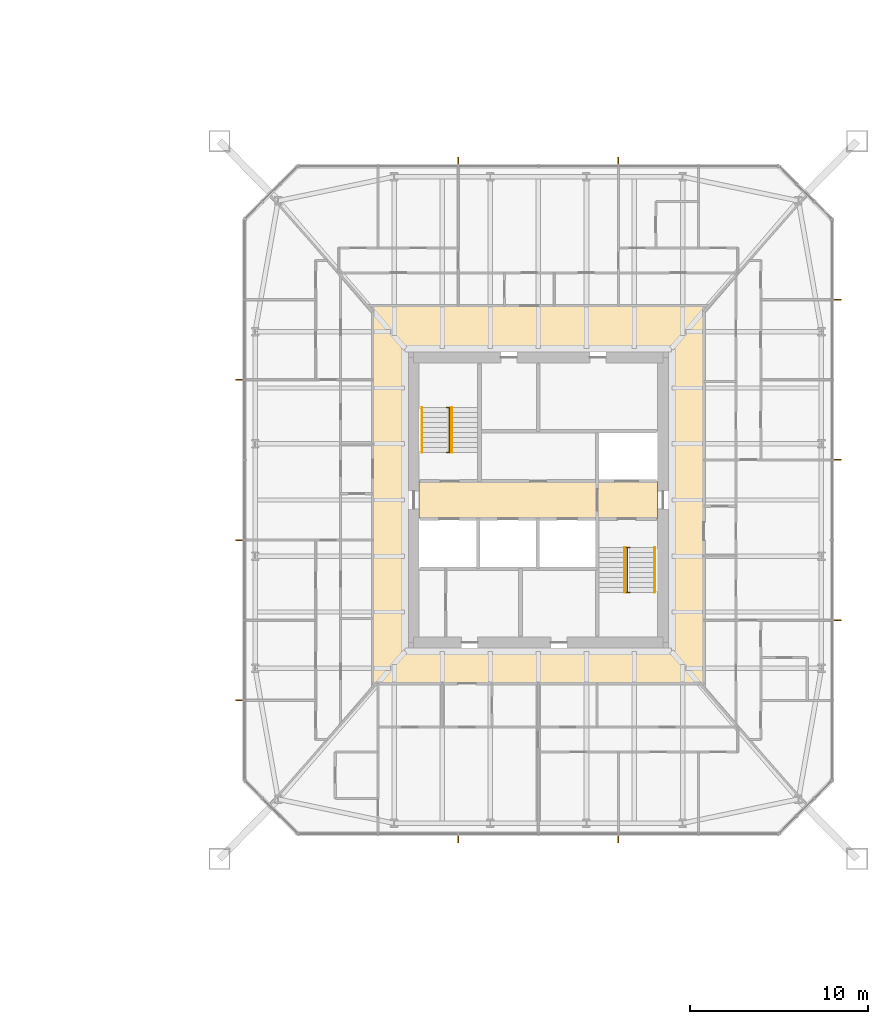
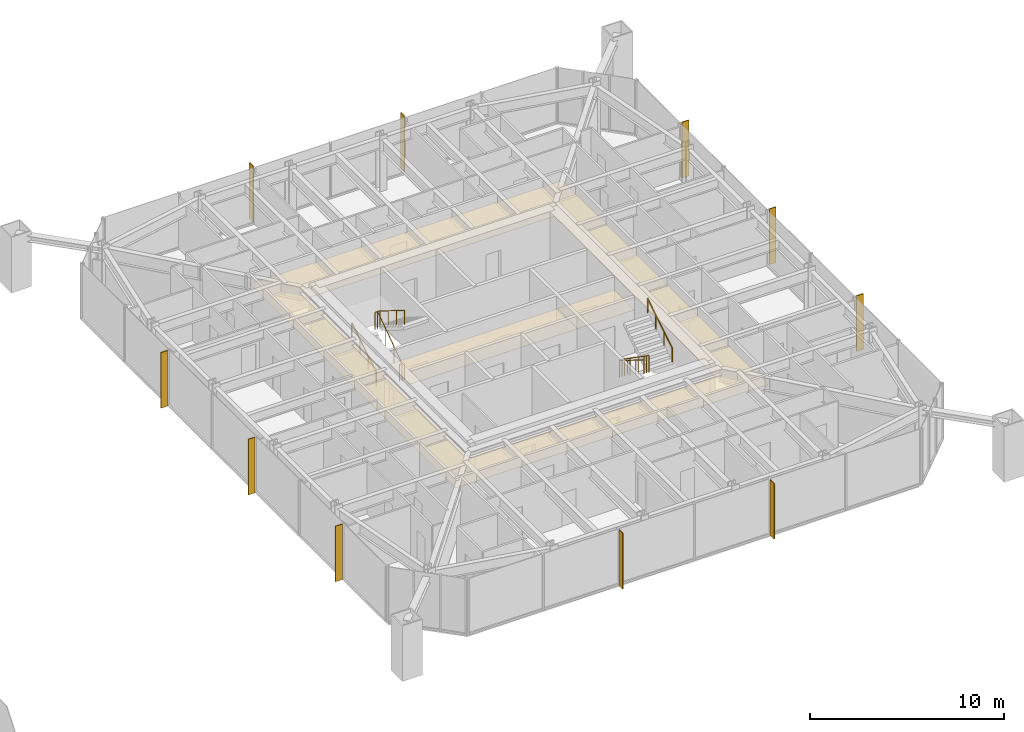
# One storey, part 26 of 26: 10 shading devices, 6 railings, 3 coverings.
"""IFC4 building model written with IfcOpenShell, lengths in metres."""

from ifc_helpers import new_model, si_unit, direction, frame, origin, origin_2d, place, context, subcontext, project, spatial, polyline, rectangle, circle, outline, extrude, material, layer, layer_set, constituent, constituent_set, type_object, element, save


model = new_model("IFC4")

# Units and contexts
model_context = context("Model", 3, precision=1e-05, world=origin(), true_north=direction((0.0, 1.0)))
body_context = subcontext(model_context, "Body", "Model", "MODEL_VIEW")
ifc_project = project(units=[si_unit("LENGTHUNIT", "METRE"), si_unit("AREAUNIT", "SQUARE_METRE"), si_unit("VOLUMEUNIT", "CUBIC_METRE"), si_unit("PLANEANGLEUNIT", "RADIAN"), si_unit("MASSUNIT", "GRAM", prefix="KILO")], contexts=[model_context])

# Site, building, storey
site_placement = place(None, origin())
site = spatial("IfcSite", under=ifc_project, at=site_placement, CompositionType="ELEMENT")
building_placement = place(site_placement, origin())
building = spatial("IfcBuilding", under=site, at=building_placement, Name="Iwan Alto Co-Living Towers", CompositionType="ELEMENT")
storey_placement = place(building_placement, frame((0.0, 0.0, 39.5)))
storey = spatial("IfcBuildingStorey", under=building, at=storey_placement, Name="L10", CompositionType="ELEMENT", Elevation=39.5)

# Coverings
ifc_material_1 = material(Name="Mineral fibre acoustic tiles on steel grid", Category="steel")
ifc_layer_1 = layer(ifc_material_1, 0.02001953125)
ifc_layer_set_1 = layer_set([ifc_layer_1], Name="ACOUSTIC TILE CEILING 20")
covering_type_1 = type_object("IfcCoveringType", Name="ACOUSTIC TILE CEILING 20", PredefinedType="CEILING", material=ifc_layer_set_1)
covering_1_placement = place(storey_placement, frame((0.0, 0.0, 2.60009765625)))
element("IfcCovering", 1, at=covering_1_placement, inside=storey, type_object=covering_type_1, Name="Ceiling Lift lobby L10", PredefinedType="CEILING", context=body_context, shape_type="SweptSolid", body=[
    extrude(outline(polyline([(56.300048828125, -1.050048828125), (56.300048828125, 1.050048828125), (66.300048828125, 1.050048828125), (66.300048828125, -1.050048828125), (56.300048828125, -1.050048828125)])), origin(), (0.0, 0.0, 1.0), 0.02001953125),
])
covering_2_placement = place(storey_placement, frame((0.0, 0.0, 2.60009765625)))
element("IfcCovering", 2, at=covering_2_placement, inside=storey, type_object=covering_type_1, Name="Ceiling Firefighting lobby L10", PredefinedType="CEILING", context=body_context, shape_type="SweptSolid", body=[
    extrude(outline(polyline([(66.300048828125, -1.050048828125), (66.300048828125, 1.050048828125), (69.699951171875, 1.050048828125), (69.699951171875, -1.050048828125), (66.300048828125, -1.050048828125)])), origin(), (0.0, 0.0, 1.0), 0.02001953125),
])

# Shading devices
ifc_material_2 = material(Name="Aluminium 6063-T6 bronze anodised", Category="aluminium")
ifc_layer_2 = layer(ifc_material_2, 0.050048828125)
ifc_layer_set_2 = layer_set([ifc_layer_2], Name="BRONZE FIN 50X400")
shading_device_type = type_object("IfcShadingDeviceType", Name="BRONZE FIN 50X400", PredefinedType="USERDEFINED", material=ifc_layer_set_2)
for number, where, z_axis, x_axis, name in (
    (3, (58.5, -19.050048828125, 0.0), (0.0, 0.0, 1.0), (1.0, 0.0, 0.0), "Bronze fin L10"),
    (4, (67.5, -19.050048828125, 0.0), (0.0, 0.0, 1.0), (1.0, 0.0, 0.0), "Bronze fin L10"),
    (5, (79.800048828125, -6.75, 0.0), (0.0, 0.0, 1.0), (0.0, 1.0, 0.0), "Bronze fin L10"),
    (6, (79.800048828125, 2.25, 0.0), (0.0, 0.0, 1.0), (0.0, 1.0, 0.0), "Bronze fin L10"),
    (7, (79.800048828125, 11.25, 0.0), (0.0, 0.0, 1.0), (0.0, 1.0, 0.0), "Bronze fin L10"),
    (8, (67.5, 19.050048828125, 0.0), (0.0, 0.0, 1.0), (-1.0, 0.0, 0.0), "Bronze fin L10"),
    (9, (58.5, 19.050048828125, 0.0), (0.0, 0.0, 1.0), (-1.0, 0.0, 0.0), "Bronze fin L10"),
    (10, (46.199951171875, 6.75, 0.0), (0.0, 0.0, 1.0), (0.0, -1.0, 0.0), "Bronze fin L10"),
    (11, (46.199951171875, -2.25, 0.0), (0.0, 0.0, 1.0), (0.0, -1.0, 0.0), "Bronze fin L10"),
    (12, (46.199951171875, -11.25, 0.0), (0.0, 0.0, 1.0), (0.0, -1.0, 0.0), "Bronze fin L10"),
):
    element("IfcShadingDevice", number, at=place(storey_placement, frame(where, z_axis=z_axis, x_axis=x_axis)), inside=storey, type_object=shading_device_type, Name=name, ObjectType="LOUVER", PredefinedType="USERDEFINED", context=body_context, shape_type="SweptSolid", body=[
        extrude(rectangle(XDim=0.050048828125, YDim=0.39990234375, at=origin_2d()), origin(), (0.0, 0.0, 1.0), 3.5),
    ])

# Railings
ifc_material_3 = material(Name="Steel ASTM A500 Gr C", Category="steel")
ifc_constituent_1 = constituent(ifc_material_3, Name="Rails and posts", Category="Framing")
ifc_material_4 = material(Name="Steel ASTM A36", Category="steel")
ifc_constituent_2 = constituent(ifc_material_4, Name="Bar infill", Category="Infill")
ifc_constituent_set = constituent_set(constituents=[ifc_constituent_1, ifc_constituent_2], Name="STAIR GUARD 1100")
railing_type_1 = type_object("IfcRailingType", Name="STAIR GUARD 1100", PredefinedType="GUARDRAIL", material=ifc_constituent_set)
railing_1_placement = place(storey_placement, frame((58.0, 2.669921875, 0.0)))
element("IfcRailing", 13, at=railing_1_placement, inside=storey, type_object=railing_type_1, Name="Stair T2-S1 well guard L10", PredefinedType="GUARDRAIL", context=body_context, shape_type="SweptSolid", body=[
    extrude(circle(Radius=0.02392578125, at=origin_2d()), frame((0.0, 0.0, 1.076171875), z_axis=(0.0, 0.821372036852, 0.570392826987), x_axis=(-1.0, 0.0, 0.0)), (0.0, 0.0, 1.0), 3.068115234375),
    extrude(circle(Radius=0.02392578125, at=origin_2d()), frame((-0.14990234375, 0.0, 1.076171875), z_axis=(1.0, 0.0, 0.0), x_axis=(0.0, 1.0, 0.0)), (0.0, 0.0, 1.0), 0.2998046875),
    extrude(circle(Radius=0.02392578125, at=origin_2d()), frame((-0.14990234375, 2.52001953125, 2.826171875), z_axis=(1.0, 0.0, 0.0), x_axis=(0.0, 1.0, 0.0)), (0.0, 0.0, 1.0), 0.2998046875),
    extrude(circle(Radius=0.02099609375, at=origin_2d()), origin(), (0.0, 0.0, 1.0), 1.052001953125),
    extrude(circle(Radius=0.02099609375, at=origin_2d()), frame((0.0, 0.840087890625, 0.583251953125)), (0.0, 0.0, 1.0), 1.052001953125),
    extrude(circle(Radius=0.02099609375, at=origin_2d()), frame((0.0, 1.679931640625, 1.166748046875)), (0.0, 0.0, 1.0), 1.052001953125),
    extrude(circle(Radius=0.02099609375, at=origin_2d()), frame((0.0, 2.52001953125, 1.75)), (0.0, 0.0, 1.0), 1.052001953125),
    extrude(circle(Radius=0.02099609375, at=origin_2d()), frame((-0.14990234375, 0.0, 0.0)), (0.0, 0.0, 1.0), 1.052001953125),
    extrude(circle(Radius=0.02099609375, at=origin_2d()), frame((0.14990234375, 0.0, 0.0)), (0.0, 0.0, 1.0), 1.052001953125),
    extrude(circle(Radius=0.02099609375, at=origin_2d()), frame((-0.14990234375, 2.52001953125, 1.75)), (0.0, 0.0, 1.0), 1.052001953125),
    extrude(circle(Radius=0.02099609375, at=origin_2d()), frame((0.14990234375, 2.52001953125, 1.75)), (0.0, 0.0, 1.0), 1.052001953125),
])
railing_2_placement = place(storey_placement, frame((68.0, -2.669921875, 0.0)))
element("IfcRailing", 14, at=railing_2_placement, inside=storey, type_object=railing_type_1, Name="Stair T2-S2 well guard L10", PredefinedType="GUARDRAIL", context=body_context, shape_type="SweptSolid", body=[
    extrude(circle(Radius=0.02392578125, at=origin_2d()), frame((0.0, 0.0, 1.076171875), z_axis=(0.0, -0.821372036852, 0.570392826987), x_axis=(1.0, 0.0, 0.0)), (0.0, 0.0, 1.0), 3.068115234375),
    extrude(circle(Radius=0.02392578125, at=origin_2d()), frame((-0.14990234375, 0.0, 1.076171875), z_axis=(1.0, 0.0, 0.0), x_axis=(0.0, 1.0, 0.0)), (0.0, 0.0, 1.0), 0.2998046875),
    extrude(circle(Radius=0.02392578125, at=origin_2d()), frame((-0.14990234375, -2.52001953125, 2.826171875), z_axis=(1.0, 0.0, 0.0), x_axis=(0.0, 1.0, 0.0)), (0.0, 0.0, 1.0), 0.2998046875),
    extrude(circle(Radius=0.02099609375, at=origin_2d()), origin(), (0.0, 0.0, 1.0), 1.052001953125),
    extrude(circle(Radius=0.02099609375, at=origin_2d()), frame((0.0, -0.840087890625, 0.583251953125)), (0.0, 0.0, 1.0), 1.052001953125),
    extrude(circle(Radius=0.02099609375, at=origin_2d()), frame((0.0, -1.679931640625, 1.166748046875)), (0.0, 0.0, 1.0), 1.052001953125),
    extrude(circle(Radius=0.02099609375, at=origin_2d()), frame((0.0, -2.52001953125, 1.75)), (0.0, 0.0, 1.0), 1.052001953125),
    extrude(circle(Radius=0.02099609375, at=origin_2d()), frame((-0.14990234375, 0.0, 0.0)), (0.0, 0.0, 1.0), 1.052001953125),
    extrude(circle(Radius=0.02099609375, at=origin_2d()), frame((0.14990234375, 0.0, 0.0)), (0.0, 0.0, 1.0), 1.052001953125),
    extrude(circle(Radius=0.02099609375, at=origin_2d()), frame((-0.14990234375, -2.52001953125, 1.75)), (0.0, 0.0, 1.0), 1.052001953125),
    extrude(circle(Radius=0.02099609375, at=origin_2d()), frame((0.14990234375, -2.52001953125, 1.75)), (0.0, 0.0, 1.0), 1.052001953125),
])
ifc_material_5 = material(Name="Steel ASTM A500 Gr C", Category="steel")
railing_type_2 = type_object("IfcRailingType", Name="STAIR HANDRAIL 900", PredefinedType="HANDRAIL", material=ifc_material_5)
railing_3_placement = place(storey_placement, frame((56.469970703125, 2.669921875, 0.175048828125)))
element("IfcRailing", 15, at=railing_3_placement, inside=storey, type_object=railing_type_2, Name="Stair T2-S1 handrail 1 L10", PredefinedType="HANDRAIL", context=body_context, shape_type="SweptSolid", body=[
    extrude(circle(Radius=0.02392578125, at=origin_2d()), frame((0.0, 0.0, 0.8759765625), z_axis=(0.0, 0.848007534815, 0.529984170421), x_axis=(-1.0, 0.0, 0.0)), (0.0, 0.0, 1.0), 2.9716796875),
    extrude(circle(Radius=0.02099609375, at=origin_2d()), origin(), (0.0, 0.0, 1.0), 0.851806640625),
    extrude(circle(Radius=0.02099609375, at=origin_2d()), frame((0.0, 0.840087890625, 0.52490234375)), (0.0, 0.0, 1.0), 0.851806640625),
    extrude(circle(Radius=0.02099609375, at=origin_2d()), frame((0.0, 1.679931640625, 1.050048828125)), (0.0, 0.0, 1.0), 0.851806640625),
    extrude(circle(Radius=0.02099609375, at=origin_2d()), frame((0.0, 2.52001953125, 1.574951171875)), (0.0, 0.0, 1.0), 0.851806640625),
])
for number, where, name in (
    (16, (58.14990234375, 5.18994140625, 1.925048828125), "Stair T2-S1 handrail 2 L10"),
    (17, (67.85009765625, -2.669921875, 0.175048828125), "Stair T2-S2 handrail 1 L10"),
):
    element("IfcRailing", number, at=place(storey_placement, frame(where)), inside=storey, type_object=railing_type_2, Name=name, PredefinedType="HANDRAIL", context=body_context, shape_type="SweptSolid", body=[
        extrude(circle(Radius=0.02392578125, at=origin_2d()), frame((0.0, 0.0, 0.8759765625), z_axis=(0.0, -0.848007534815, 0.529984170421), x_axis=(1.0, 0.0, 0.0)), (0.0, 0.0, 1.0), 2.9716796875),
        extrude(circle(Radius=0.02099609375, at=origin_2d()), origin(), (0.0, 0.0, 1.0), 0.851806640625),
        extrude(circle(Radius=0.02099609375, at=origin_2d()), frame((0.0, -0.840087890625, 0.52490234375)), (0.0, 0.0, 1.0), 0.851806640625),
        extrude(circle(Radius=0.02099609375, at=origin_2d()), frame((0.0, -1.679931640625, 1.050048828125)), (0.0, 0.0, 1.0), 0.851806640625),
        extrude(circle(Radius=0.02099609375, at=origin_2d()), frame((0.0, -2.52001953125, 1.574951171875)), (0.0, 0.0, 1.0), 0.851806640625),
    ])
railing_4_placement = place(storey_placement, frame((69.530029296875, -5.18994140625, 1.925048828125)))
element("IfcRailing", 18, at=railing_4_placement, inside=storey, type_object=railing_type_2, Name="Stair T2-S2 handrail 2 L10", PredefinedType="HANDRAIL", context=body_context, shape_type="SweptSolid", body=[
    extrude(circle(Radius=0.02392578125, at=origin_2d()), frame((0.0, 0.0, 0.8759765625), z_axis=(0.0, 0.848007534815, 0.529984170421), x_axis=(-1.0, 0.0, 0.0)), (0.0, 0.0, 1.0), 2.9716796875),
    extrude(circle(Radius=0.02099609375, at=origin_2d()), origin(), (0.0, 0.0, 1.0), 0.851806640625),
    extrude(circle(Radius=0.02099609375, at=origin_2d()), frame((0.0, 0.840087890625, 0.52490234375)), (0.0, 0.0, 1.0), 0.851806640625),
    extrude(circle(Radius=0.02099609375, at=origin_2d()), frame((0.0, 1.679931640625, 1.050048828125)), (0.0, 0.0, 1.0), 0.851806640625),
    extrude(circle(Radius=0.02099609375, at=origin_2d()), frame((0.0, 2.52001953125, 1.574951171875)), (0.0, 0.0, 1.0), 0.851806640625),
])

# Covering
ifc_material_6 = material(Name="Gypsum plasterboard on steel grid", Category="steel")
ifc_layer_3 = layer(ifc_material_6, 0.014892578125)
ifc_layer_set_3 = layer_set([ifc_layer_3], Name="SUSPENDED PLASTERBOARD CEILING 15")
covering_type_2 = type_object("IfcCoveringType", Name="SUSPENDED PLASTERBOARD CEILING 15", PredefinedType="CEILING", material=ifc_layer_set_3)
covering_3_placement = place(storey_placement, frame((0.0, 0.0, 2.60009765625)))
element("IfcCovering", 19, at=covering_3_placement, inside=storey, type_object=covering_type_2, Name="Ceiling Corridor L10", PredefinedType="CEILING", context=body_context, shape_type="SweptSolid", body=[
    extrude(outline(polyline([(53.699951171875, 10.89990234375), (72.300048828125, 10.89990234375), (72.300048828125, -10.300048828125), (53.699951171875, -10.300048828125), (53.699951171875, 10.89990234375)]), holes=[polyline([(55.699951171875, 8.300048828125), (55.699951171875, -8.300048828125), (70.300048828125, -8.300048828125), (70.300048828125, 8.300048828125), (55.699951171875, 8.300048828125)])]), origin(), (0.0, 0.0, 1.0), 0.014892578125),
])

save(model, "model.ifc")
